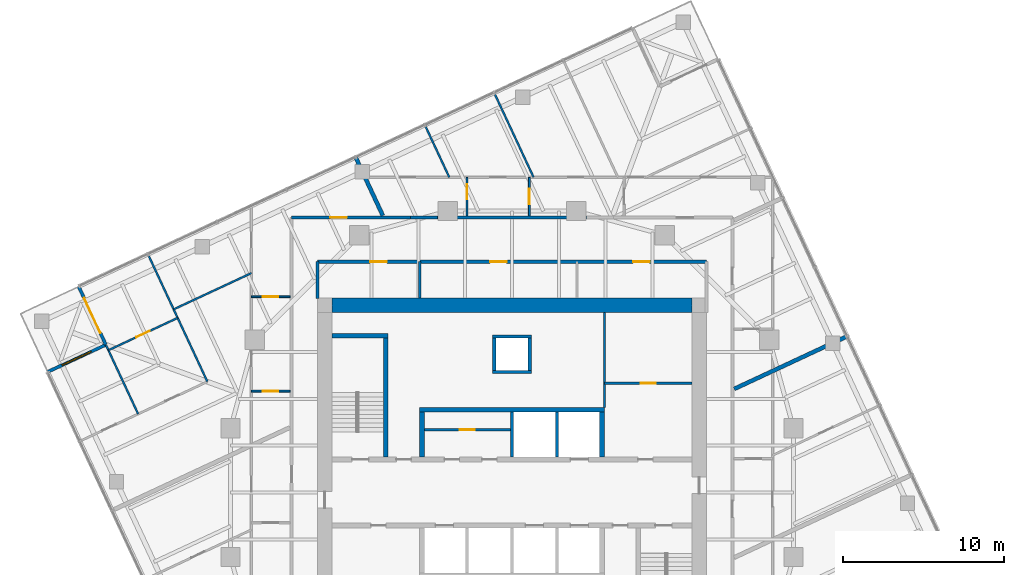
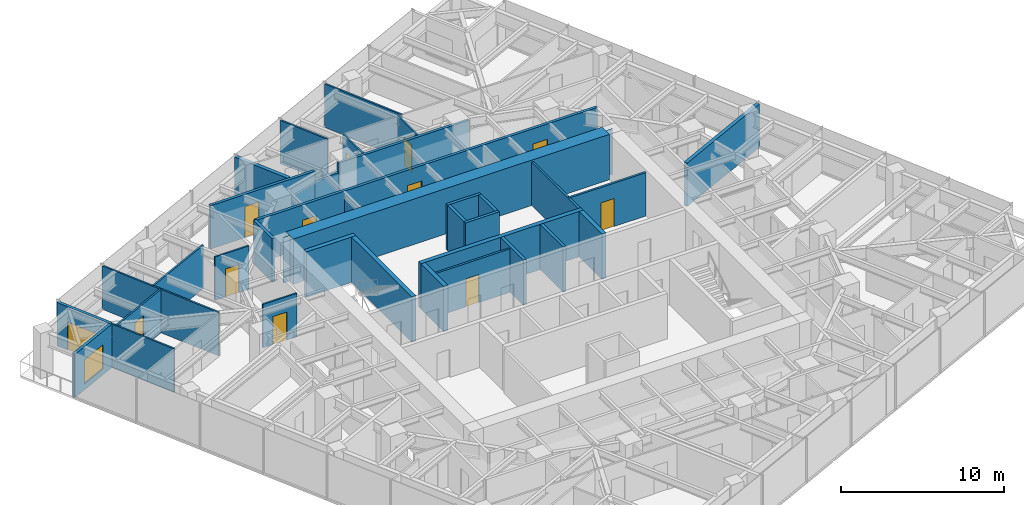
# One storey, part 10 of 12: 35 walls, 12 doors, 1 window, 13 openings.
"""IFC4 building model written with IfcOpenShell, lengths in metres."""

from ifc_helpers import new_model, si_unit, direction, frame, frame_2d, origin, place, context, subcontext, project, spatial, polyline, rectangle, outline, extrude, material, layer, layer_set, type_object, element, fill, save


model = new_model("IFC4")

# Units and contexts
model_context = context("Model", 3, precision=1e-05, world=origin(), true_north=direction((0.0, 1.0)))
body_context = subcontext(model_context, "Body", "Model", "MODEL_VIEW")
ifc_project = project(units=[si_unit("LENGTHUNIT", "METRE"), si_unit("AREAUNIT", "SQUARE_METRE"), si_unit("VOLUMEUNIT", "CUBIC_METRE"), si_unit("PLANEANGLEUNIT", "RADIAN"), si_unit("MASSUNIT", "GRAM", prefix="KILO")], contexts=[model_context])

# Site, building, storey
site_placement = place(None, origin())
site = spatial("IfcSite", under=ifc_project, at=site_placement, CompositionType="ELEMENT")
building_placement = place(site_placement, origin())
building = spatial("IfcBuilding", under=site, at=building_placement, Name="Torsade Residences", CompositionType="ELEMENT")
storey_placement = place(building_placement, frame((0.0, 0.0, 193.0)))
storey = spatial("IfcBuildingStorey", under=building, at=storey_placement, Name="L53", CompositionType="ELEMENT", Elevation=193.0)

# Walls
ifc_material_1 = material(Name="Concrete 80 MPa", Category="concrete")
ifc_layer_1 = layer(ifc_material_1, 0.300048828125)
ifc_layer_set_1 = layer_set([ifc_layer_1], Name="Concrete 80 MPa")
wall_type_1 = type_object("IfcWallType", Name="CORE INTERNAL WALL 300", PredefinedType="SHEAR", material=ifc_layer_set_1)
wall_1_placement = place(storey_placement, frame((34.25, 35.14990234375, 0.0), z_axis=(0.0, 0.0, 1.0), x_axis=(1.0, 0.0, 0.0)))
element("IfcWall", 1, at=wall_1_placement, inside=storey, type_object=wall_type_1, Name="Core wall BN L53", PredefinedType="SHEAR", context=body_context, shape_type="SweptSolid", body=[
    extrude(rectangle(XDim=11.5, YDim=0.300048828125, at=frame_2d((5.75, 0.0))), origin(), (0.0, 0.0, 1.0), 3.39990234375),
])
for number, where, z_axis, x_axis, name in (
    (2, (34.39990234375, 32.199951171875, 0.0), (0.0, 0.0, 1.0), (0.0, 1.0, 0.0), "Core wall DN0 L53"),
    (3, (45.60009765625, 32.199951171875, 0.0), (0.0, 0.0, 1.0), (0.0, 1.0, 0.0), "Core wall DN4 L53"),
):
    element("IfcWall", number, at=place(storey_placement, frame(where, z_axis=z_axis, x_axis=x_axis)), inside=storey, type_object=wall_type_1, Name=name, PredefinedType="SHEAR", context=body_context, shape_type="SweptSolid", body=[
        extrude(rectangle(XDim=2.800048828125, YDim=0.300048828125, at=frame_2d((1.39990234375, 0.0))), origin(), (0.0, 0.0, 1.0), 3.39990234375),
    ])
wall_2_placement = place(storey_placement, frame((32.14990234375, 32.199951171875, 0.0), z_axis=(0.0, 0.0, 1.0), x_axis=(0.0, 1.0, 0.0)))
element("IfcWall", 4, at=wall_2_placement, inside=storey, type_object=wall_type_1, Name="Core wall ST1E L53", PredefinedType="SHEAR", context=body_context, shape_type="SweptSolid", body=[
    extrude(rectangle(XDim=7.699951171875, YDim=0.300048828125, at=frame_2d((3.85009765625, 0.0))), origin(), (0.0, 0.0, 1.0), 3.39990234375),
])
wall_3_placement = place(storey_placement, frame((28.800048828125, 39.75, 0.0), z_axis=(0.0, 0.0, 1.0), x_axis=(1.0, 0.0, 0.0)))
element("IfcWall", 5, at=wall_3_placement, inside=storey, type_object=wall_type_1, Name="Core wall ST1N L53", PredefinedType="SHEAR", context=body_context, shape_type="SweptSolid", body=[
    extrude(rectangle(XDim=3.5, YDim=0.300048828125, at=frame_2d((1.75, 0.0))), origin(), (0.0, 0.0, 1.0), 3.39990234375),
])
ifc_material_2 = material(Name="Concrete 80 MPa", Category="concrete")
ifc_layer_2 = layer(ifc_material_2, 0.89990234375)
ifc_layer_set_2 = layer_set([ifc_layer_2], Name="Concrete 80 MPa")
wall_type_2 = type_object("IfcWallType", Name="CORE WALL 900", PredefinedType="SHEAR", material=ifc_layer_set_2)
wall_4_placement = place(storey_placement, frame((28.800048828125, 41.64990234375, 0.0), z_axis=(0.0, 0.0, 1.0), x_axis=(1.0, 0.0, 0.0)))
element("IfcWall", 6, at=wall_4_placement, inside=storey, type_object=wall_type_2, Name="Core wall N L53", PredefinedType="SHEAR", context=body_context, shape_type="SweptSolid", body=[
    extrude(outline(polyline([(0.0, -0.449951171875), (22.39990234375, -0.449951171875), (22.39990234375, -0.02490234375), (22.849853515625, -0.02490234375), (22.849853515625, 0.02490234375), (22.39990234375, 0.02490234375), (22.39990234375, 0.449951171875), (0.0, 0.449951171875), (0.0, 0.02490234375), (-0.449951171875, 0.02490234375), (-0.449951171875, -0.02490234375), (0.0, -0.02490234375), (0.0, -0.449951171875)])), origin(), (0.0, 0.0, 1.0), 3.39990234375),
])
ifc_material_3 = material(Name="Plasterboard on steel stud", Category="steel")
ifc_layer_3 = layer(ifc_material_3, 0.199951171875)
ifc_layer_set_3 = layer_set([ifc_layer_3], Name="Plasterboard on steel stud")
wall_type_3 = type_object("IfcWallType", Name="CORRIDOR WALL 200", PredefinedType="PARTITIONING", material=ifc_layer_set_3)
wall_5_placement = place(storey_placement, frame((44.625, 47.10009765625, 0.0), z_axis=(0.0, 0.0, 1.0), x_axis=(-1.0, 0.0, 0.0)))
element("IfcWall", 7, at=wall_5_placement, inside=storey, type_object=wall_type_3, Name="Corridor wall L53", PredefinedType="PARTITIONING", context=body_context, shape_type="SweptSolid", body=[
    extrude(rectangle(XDim=9.25, YDim=0.199951171875, at=frame_2d((4.625, 0.0))), origin(), (0.0, 0.0, 1.0), 3.25),
])
wall_6_placement = place(storey_placement, frame((35.375, 47.10009765625, 0.0), z_axis=(0.0, 0.0, 1.0), x_axis=(-1.0, 0.0, 0.0)))
element("IfcWall", 8, at=wall_6_placement, inside=storey, type_object=wall_type_3, Name="Corridor wall L53", PredefinedType="PARTITIONING", context=body_context, shape_type="SweptSolid", body=[
    extrude(rectangle(XDim=1.683349609375, YDim=0.199951171875, at=frame_2d((0.841796875, 0.0))), origin(), (0.0, 0.0, 1.0), 2.550048828125),
])

# Wall, opening, door
wall_7_placement = place(storey_placement, frame((33.691650390625, 47.10009765625, 0.0), z_axis=(0.0, 0.0, 1.0), x_axis=(-1.0, 0.0, 0.0)))
wall_7 = element("IfcWall", 9, at=wall_7_placement, inside=storey, type_object=wall_type_3, Name="Corridor wall L53", PredefinedType="PARTITIONING", context=body_context, shape_type="SweptSolid", body=[
    extrude(rectangle(XDim=7.3916015625, YDim=0.199951171875, at=frame_2d((3.69580078125, 0.0))), origin(), (0.0, 0.0, 1.0), 3.25),
])
opening_1_placement = place(wall_7_placement, frame((3.957275390625, 0.0, 0.0)))
opening_1 = element("IfcOpeningElement", 10, at=opening_1_placement, cuts=wall_7, Name="Opening D01", PredefinedType="OPENING", context=body_context, shape_type="SweptSolid", body=[
    extrude(rectangle(XDim=1.02001953125, YDim=2.340087890625, at=frame_2d((0.510009765625, 1.169921875))), frame((0.0, 0.10986328125, 0.0), z_axis=(0.0, -1.0, 0.0), x_axis=(1.0, 0.0, 0.0)), (0.0, 0.0, 1.0), 0.219970703125),
])
ifc_material_4 = material(Name="Solid-core timber fire door", Category="wood")
door_type_1 = type_object("IfcDoorType", Name="APARTMENT ENTRY DOOR 1020x2340", OperationType="NOTDEFINED", PredefinedType="DOOR", material=ifc_material_4)
door_1_placement = place(opening_1_placement, origin())
door_1 = element("IfcDoor", 11, at=door_1_placement, inside=storey, type_object=door_type_1, Name="Door Residential corridor to Kitchen and dining", OperationType="SINGLE_SWING_RIGHT", OverallHeight=2.340087890625, OverallWidth=1.02001953125, PredefinedType="DOOR", context=body_context, shape_type="SweptSolid", body=[
    extrude(rectangle(XDim=1.02001953125, YDim=2.340087890625, at=frame_2d((0.510009765625, 1.169921875))), frame((0.0, 0.02490234375, 0.0), z_axis=(0.0, -1.0, 0.0), x_axis=(1.0, 0.0, 0.0)), (0.0, 0.0, 1.0), 0.050048828125),
])
fill(opening_1, door_1)

# Wall, openings, doors
wall_8_placement = place(storey_placement, frame((52.10009765625, 44.35009765625, 0.0), z_axis=(0.0, 0.0, 1.0), x_axis=(-1.0, 0.0, 0.0)))
wall_8 = element("IfcWall", 12, at=wall_8_placement, inside=storey, type_object=wall_type_3, Name="Corridor wall L53", PredefinedType="PARTITIONING", context=body_context, shape_type="SweptSolid", body=[
    extrude(rectangle(XDim=24.2001953125, YDim=0.199951171875, at=frame_2d((12.10009765625, 0.0))), origin(), (0.0, 0.0, 1.0), 3.25),
])
opening_2_placement = place(wall_8_placement, frame((12.43701171875, 0.0, 0.0)))
opening_2 = element("IfcOpeningElement", 13, at=opening_2_placement, cuts=wall_8, Name="Opening D03", PredefinedType="OPENING", context=body_context, shape_type="SweptSolid", body=[
    extrude(rectangle(XDim=1.02001953125, YDim=2.10009765625, at=frame_2d((0.510009765625, 1.050048828125))), frame((0.0, 0.10986328125, 0.0), z_axis=(0.0, -1.0, 0.0), x_axis=(1.0, 0.0, 0.0)), (0.0, 0.0, 1.0), 0.219970703125),
])
opening_3_placement = place(wall_8_placement, frame((3.544189453125, 0.0, 0.0)))
opening_3 = element("IfcOpeningElement", 14, at=opening_3_placement, cuts=wall_8, Name="Opening D03", PredefinedType="OPENING", context=body_context, shape_type="SweptSolid", body=[
    extrude(rectangle(XDim=1.02001953125, YDim=2.10009765625, at=frame_2d((0.510009765625, 1.050048828125))), frame((0.0, 0.10986328125, 0.0), z_axis=(0.0, -1.0, 0.0), x_axis=(1.0, 0.0, 0.0)), (0.0, 0.0, 1.0), 0.219970703125),
])
opening_4_placement = place(wall_8_placement, frame((19.8828125, 0.0, 0.0)))
opening_4 = element("IfcOpeningElement", 15, at=opening_4_placement, cuts=wall_8, Name="Opening D03", PredefinedType="OPENING", context=body_context, shape_type="SweptSolid", body=[
    extrude(rectangle(XDim=1.02001953125, YDim=2.10009765625, at=frame_2d((0.510009765625, 1.050048828125))), frame((0.0, 0.10986328125, 0.0), z_axis=(0.0, -1.0, 0.0), x_axis=(1.0, 0.0, 0.0)), (0.0, 0.0, 1.0), 0.219970703125),
])
ifc_material_5 = material(Name="Steel-framed fire door", Category="steel")
door_type_2 = type_object("IfcDoorType", Name="FIRE DOOR 1020", OperationType="NOTDEFINED", PredefinedType="DOOR", material=ifc_material_5)
door_2_placement = place(opening_2_placement, origin())
door_2 = element("IfcDoor", 16, at=door_2_placement, inside=storey, type_object=door_type_2, Name="Door Residential corridor to Cleaner store", OperationType="SINGLE_SWING_LEFT", OverallHeight=2.10009765625, OverallWidth=1.02001953125, PredefinedType="DOOR", context=body_context, shape_type="SweptSolid", body=[
    extrude(rectangle(XDim=1.02001953125, YDim=2.10009765625, at=frame_2d((0.510009765625, 1.050048828125))), frame((0.0, 0.02490234375, 0.0), z_axis=(0.0, -1.0, 0.0), x_axis=(1.0, 0.0, 0.0)), (0.0, 0.0, 1.0), 0.050048828125),
])
fill(opening_2, door_2)
door_3_placement = place(opening_3_placement, origin())
door_3 = element("IfcDoor", 17, at=door_3_placement, inside=storey, type_object=door_type_2, Name="Door Residential corridor to Parcel room", OperationType="SINGLE_SWING_LEFT", OverallHeight=2.10009765625, OverallWidth=1.02001953125, PredefinedType="DOOR", context=body_context, shape_type="SweptSolid", body=[
    extrude(rectangle(XDim=1.02001953125, YDim=2.10009765625, at=frame_2d((0.510009765625, 1.050048828125))), frame((0.0, 0.02490234375, 0.0), z_axis=(0.0, -1.0, 0.0), x_axis=(1.0, 0.0, 0.0)), (0.0, 0.0, 1.0), 0.050048828125),
])
fill(opening_3, door_3)
door_4_placement = place(opening_4_placement, origin())
door_4 = element("IfcDoor", 18, at=door_4_placement, inside=storey, type_object=door_type_2, Name="Door Residential corridor to Residents storage", OperationType="SINGLE_SWING_LEFT", OverallHeight=2.10009765625, OverallWidth=1.02001953125, PredefinedType="DOOR", context=body_context, shape_type="SweptSolid", body=[
    extrude(rectangle(XDim=1.02001953125, YDim=2.10009765625, at=frame_2d((0.510009765625, 1.050048828125))), frame((0.0, 0.02490234375, 0.0), z_axis=(0.0, -1.0, 0.0), x_axis=(1.0, 0.0, 0.0)), (0.0, 0.0, 1.0), 0.050048828125),
])
fill(opening_4, door_4)

# Walls
wall_9_placement = place(storey_placement, frame((27.89990234375, 44.35009765625, 0.0), z_axis=(0.0, 0.0, 1.0), x_axis=(0.0, -1.0, 0.0)))
element("IfcWall", 19, at=wall_9_placement, inside=storey, type_object=wall_type_3, Name="Corridor wall L53", PredefinedType="PARTITIONING", context=body_context, shape_type="SweptSolid", body=[
    extrude(rectangle(XDim=2.300048828125, YDim=0.199951171875, at=frame_2d((1.14990234375, 0.0))), origin(), (0.0, 0.0, 1.0), 3.25),
])
ifc_material_6 = material(Name="Reinforced blockwork", Category="masonry")
ifc_layer_4 = layer(ifc_material_6, 0.199951171875)
ifc_layer_set_4 = layer_set([ifc_layer_4], Name="Reinforced blockwork")
wall_type_4 = type_object("IfcWallType", Name="LIFT SHAFT DIVIDING WALL 200", PredefinedType="SOLIDWALL", material=ifc_layer_set_4)
for number, where, z_axis, x_axis, name in (
    (20, (40.0, 32.199951171875, 0.0), (0.0, 0.0, 1.0), (0.0, 1.0, 0.0), "Core wall DN2 L53"),
    (21, (42.800048828125, 32.199951171875, 0.0), (0.0, 0.0, 1.0), (0.0, 1.0, 0.0), "Core wall DN3 L53"),
):
    element("IfcWall", number, at=place(storey_placement, frame(where, z_axis=z_axis, x_axis=x_axis)), inside=storey, type_object=wall_type_4, Name=name, PredefinedType="SOLIDWALL", context=body_context, shape_type="SweptSolid", body=[
        extrude(rectangle(XDim=2.800048828125, YDim=0.199951171875, at=frame_2d((1.39990234375, 0.0))), origin(), (0.0, 0.0, 1.0), 3.39990234375),
    ])

# Wall, opening, door
ifc_material_7 = material(Name="Plasterboard on steel stud", Category="steel")
ifc_layer_5 = layer(ifc_material_7, 0.1201171875)
ifc_layer_set_5 = layer_set([ifc_layer_5], Name="Plasterboard on steel stud")
wall_type_5 = type_object("IfcWallType", Name="PARTITION 120", PredefinedType="PARTITIONING", material=ifc_layer_set_5)
wall_10_placement = place(storey_placement, frame((41.08154296875, 47.199951171875, 0.0), z_axis=(0.0, 0.0, 1.0), x_axis=(0.0, 1.0, 0.0)))
wall_10 = element("IfcWall", 22, at=wall_10_placement, inside=storey, type_object=wall_type_5, Name="Partition L53", PredefinedType="PARTITIONING", context=body_context, shape_type="SweptSolid", body=[
    extrude(rectangle(XDim=2.400146484375, YDim=0.1201171875, at=frame_2d((1.2001953125, 0.0))), origin(), (0.0, 0.0, 1.0), 3.25),
])
opening_5_placement = place(wall_10_placement, frame((0.719970703125, 0.0, 0.0)))
opening_5 = element("IfcOpeningElement", 23, at=opening_5_placement, cuts=wall_10, Name="Opening D05", PredefinedType="OPENING", context=body_context, shape_type="SweptSolid", body=[
    extrude(rectangle(XDim=0.9599609375, YDim=2.10009765625, at=frame_2d((0.47998046875, 1.050048828125))), frame((0.0, 0.070068359375, 0.0), z_axis=(0.0, -1.0, 0.0), x_axis=(1.0, 0.0, 0.0)), (0.0, 0.0, 1.0), 0.14013671875),
])
ifc_material_8 = material(Name="Hollow-core timber door in a steel cavity frame", Category="steel")
door_type_3 = type_object("IfcDoorType", Name="BATHROOM CAVITY SLIDING DOOR 960", OperationType="SLIDING_TO_LEFT", PredefinedType="DOOR", material=ifc_material_8)
door_5_placement = place(opening_5_placement, origin())
door_5 = element("IfcDoor", 24, at=door_5_placement, inside=storey, type_object=door_type_3, Name="Door Bathroom to Laundry", OperationType="SLIDING_TO_LEFT", OverallHeight=2.10009765625, OverallWidth=0.9599609375, PredefinedType="DOOR", context=body_context, shape_type="SweptSolid", body=[
    extrude(rectangle(XDim=0.9599609375, YDim=2.10009765625, at=frame_2d((0.47998046875, 1.050048828125))), frame((0.0, 0.02490234375, 0.0), z_axis=(0.0, -1.0, 0.0), x_axis=(1.0, 0.0, 0.0)), (0.0, 0.0, 1.0), 0.050048828125),
])
fill(opening_5, door_5)

wall_11_placement = place(storey_placement, frame((37.20361328125, 49.60009765625, 0.0), z_axis=(0.0, 0.0, 1.0), x_axis=(0.0, -1.0, 0.0)))
wall_11 = element("IfcWall", 25, at=wall_11_placement, inside=storey, type_object=wall_type_5, Name="Partition L53", PredefinedType="PARTITIONING", context=body_context, shape_type="SweptSolid", body=[
    extrude(rectangle(XDim=2.400146484375, YDim=0.1201171875, at=frame_2d((1.2001953125, 0.0))), origin(), (0.0, 0.0, 1.0), 3.25),
])
opening_6_placement = place(wall_11_placement, frame((0.419921875, 0.0, 0.0)))
opening_6 = element("IfcOpeningElement", 26, at=opening_6_placement, cuts=wall_11, Name="Opening D05", PredefinedType="OPENING", context=body_context, shape_type="SweptSolid", body=[
    extrude(rectangle(XDim=0.9599609375, YDim=2.10009765625, at=frame_2d((0.47998046875, 1.050048828125))), frame((0.0, 0.070068359375, 0.0), z_axis=(0.0, -1.0, 0.0), x_axis=(1.0, 0.0, 0.0)), (0.0, 0.0, 1.0), 0.14013671875),
])
door_6_placement = place(opening_6_placement, origin())
door_6 = element("IfcDoor", 27, at=door_6_placement, inside=storey, type_object=door_type_3, Name="Door Laundry to Ensuite", OperationType="SLIDING_TO_LEFT", OverallHeight=2.10009765625, OverallWidth=0.9599609375, PredefinedType="DOOR", context=body_context, shape_type="SweptSolid", body=[
    extrude(rectangle(XDim=0.9599609375, YDim=2.10009765625, at=frame_2d((0.47998046875, 1.050048828125))), frame((0.0, 0.02490234375, 0.0), z_axis=(0.0, -1.0, 0.0), x_axis=(1.0, 0.0, 0.0)), (0.0, 0.0, 1.0), 0.050048828125),
])
fill(opening_6, door_6)

# Walls
wall_12_placement = place(storey_placement, frame((41.342529296875, 49.60009765625, 0.0), z_axis=(0.0, 0.0, 1.0), x_axis=(-0.422648925879, 0.906293487483, 0.0)))
element("IfcWall", 28, at=wall_12_placement, inside=storey, type_object=wall_type_5, Name="Partition L53", PredefinedType="PARTITIONING", context=body_context, shape_type="SweptSolid", body=[
    extrude(rectangle(XDim=5.763671875, YDim=0.1201171875, at=frame_2d((2.8818359375, 0.0))), origin(), (0.0, 0.0, 1.0), 3.25),
])
wall_13_placement = place(storey_placement, frame((36.101318359375, 49.60009765625, 0.0), z_axis=(0.0, 0.0, 1.0), x_axis=(-0.42263686638, 0.906299111318, 0.0)))
element("IfcWall", 29, at=wall_13_placement, inside=storey, type_object=wall_type_5, Name="Partition L53", PredefinedType="PARTITIONING", context=body_context, shape_type="SweptSolid", body=[
    extrude(rectangle(XDim=3.548583984375, YDim=0.1201171875, at=frame_2d((1.7744140625, 0.0))), origin(), (0.0, 0.0, 1.0), 3.25),
])

# Wall, opening, door
wall_14_placement = place(storey_placement, frame((26.199951171875, 42.172119140625, 0.0), z_axis=(0.0, 0.0, 1.0), x_axis=(-1.0, 0.0, 0.0)))
wall_14 = element("IfcWall", 30, at=wall_14_placement, inside=storey, type_object=wall_type_5, Name="Partition L53", PredefinedType="PARTITIONING", context=body_context, shape_type="SweptSolid", body=[
    extrude(rectangle(XDim=2.39990234375, YDim=0.1201171875, at=frame_2d((1.199951171875, 0.0))), origin(), (0.0, 0.0, 1.0), 3.25),
])
opening_7_placement = place(wall_14_placement, frame((0.719970703125, 0.0, 0.0)))
opening_7 = element("IfcOpeningElement", 31, at=opening_7_placement, cuts=wall_14, Name="Opening D05", PredefinedType="OPENING", context=body_context, shape_type="SweptSolid", body=[
    extrude(rectangle(XDim=0.9599609375, YDim=2.10009765625, at=frame_2d((0.47998046875, 1.050048828125))), frame((0.0, 0.070068359375, 0.0), z_axis=(0.0, -1.0, 0.0), x_axis=(1.0, 0.0, 0.0)), (0.0, 0.0, 1.0), 0.14013671875),
])
door_7_placement = place(opening_7_placement, origin())
door_7 = element("IfcDoor", 32, at=door_7_placement, inside=storey, type_object=door_type_3, Name="Door Kitchen and dining to Bathroom", OperationType="SLIDING_TO_LEFT", OverallHeight=2.10009765625, OverallWidth=0.9599609375, PredefinedType="DOOR", context=body_context, shape_type="SweptSolid", body=[
    extrude(rectangle(XDim=0.9599609375, YDim=2.10009765625, at=frame_2d((0.47998046875, 1.050048828125))), frame((0.0, 0.02490234375, 0.0), z_axis=(0.0, -1.0, 0.0), x_axis=(1.0, 0.0, 0.0)), (0.0, 0.0, 1.0), 0.050048828125),
])
fill(opening_7, door_7)

wall_15_placement = place(storey_placement, frame((26.199951171875, 36.30810546875, 0.0), z_axis=(0.0, 0.0, 1.0), x_axis=(-1.0, 0.0, 0.0)))
wall_15 = element("IfcWall", 33, at=wall_15_placement, inside=storey, type_object=wall_type_5, Name="Partition L53", PredefinedType="PARTITIONING", context=body_context, shape_type="SweptSolid", body=[
    extrude(rectangle(XDim=2.39990234375, YDim=0.1201171875, at=frame_2d((1.199951171875, 0.0))), origin(), (0.0, 0.0, 1.0), 3.25),
])
opening_8_placement = place(wall_15_placement, frame((0.719970703125, 0.0, 0.0)))
opening_8 = element("IfcOpeningElement", 34, at=opening_8_placement, cuts=wall_15, Name="Opening D05", PredefinedType="OPENING", context=body_context, shape_type="SweptSolid", body=[
    extrude(rectangle(XDim=0.9599609375, YDim=2.10009765625, at=frame_2d((0.47998046875, 1.050048828125))), frame((0.0, 0.070068359375, 0.0), z_axis=(0.0, -1.0, 0.0), x_axis=(1.0, 0.0, 0.0)), (0.0, 0.0, 1.0), 0.14013671875),
])
door_8_placement = place(opening_8_placement, origin())
door_8 = element("IfcDoor", 35, at=door_8_placement, inside=storey, type_object=door_type_3, Name="Door Bathroom to Ensuite", OperationType="SLIDING_TO_LEFT", OverallHeight=2.10009765625, OverallWidth=0.9599609375, PredefinedType="DOOR", context=body_context, shape_type="SweptSolid", body=[
    extrude(rectangle(XDim=0.9599609375, YDim=2.10009765625, at=frame_2d((0.47998046875, 1.050048828125))), frame((0.0, 0.02490234375, 0.0), z_axis=(0.0, -1.0, 0.0), x_axis=(1.0, 0.0, 0.0)), (0.0, 0.0, 1.0), 0.050048828125),
])
fill(opening_8, door_8)

# Walls
wall_16_placement = place(storey_placement, frame((18.96533203125, 41.390625, 0.0), z_axis=(0.0, 0.0, 1.0), x_axis=(0.906312880264, 0.422607339108, 0.0)))
element("IfcWall", 36, at=wall_16_placement, inside=storey, type_object=wall_type_5, Name="Partition L53", PredefinedType="PARTITIONING", context=body_context, shape_type="SweptSolid", body=[
    extrude(rectangle(XDim=5.33447265625, YDim=0.1201171875, at=frame_2d((2.667236328125, 0.0))), origin(), (0.0, 0.0, 1.0), 3.25),
])
wall_17_placement = place(storey_placement, frame((21.05859375, 36.901611328125, 0.0), z_axis=(0.0, 0.0, 1.0), x_axis=(-0.422610460864, 0.906311424604, 0.0)))
element("IfcWall", 37, at=wall_17_placement, inside=storey, type_object=wall_type_5, Name="Partition L53", PredefinedType="PARTITIONING", context=body_context, shape_type="SweptSolid", body=[
    extrude(rectangle(XDim=8.7001953125, YDim=0.1201171875, at=frame_2d((4.35009765625, 0.0))), origin(), (0.0, 0.0, 1.0), 3.25),
])

# Wall, opening, door
wall_18_placement = place(storey_placement, frame((19.2138671875, 40.857666015625, 0.0), z_axis=(0.0, 0.0, 1.0), x_axis=(-0.906296032609, -0.422643468278, 0.0)))
wall_18 = element("IfcWall", 38, at=wall_18_placement, inside=storey, type_object=wall_type_5, Name="Partition L53", PredefinedType="PARTITIONING", context=body_context, shape_type="SweptSolid", body=[
    extrude(rectangle(XDim=4.75, YDim=0.1201171875, at=frame_2d((2.375, 0.0))), origin(), (0.0, 0.0, 1.0), 3.25),
])
opening_9_placement = place(wall_18_placement, frame((1.9150390625, 0.0, 0.0)))
opening_9 = element("IfcOpeningElement", 39, at=opening_9_placement, cuts=wall_18, Name="Opening D02", PredefinedType="OPENING", context=body_context, shape_type="SweptSolid", body=[
    extrude(rectangle(XDim=0.919921875, YDim=2.340087890625, at=frame_2d((0.4599609375, 1.169921875))), frame((0.0, 0.070068359375, 0.0), z_axis=(0.0, -1.0, 0.0), x_axis=(1.0, 0.0, 0.0)), (0.0, 0.0, 1.0), 0.14013671875),
])
ifc_material_9 = material(Name="Hollow-core timber door", Category="wood")
door_type_4 = type_object("IfcDoorType", Name="INTERNAL DOOR 920x2340", OperationType="NOTDEFINED", PredefinedType="DOOR", material=ifc_material_9)
door_9_placement = place(opening_9_placement, origin())
door_9 = element("IfcDoor", 40, at=door_9_placement, inside=storey, type_object=door_type_4, Name="Door Walk-in robe to Bedroom 2", OperationType="SINGLE_SWING_RIGHT", OverallHeight=2.340087890625, OverallWidth=0.919921875, PredefinedType="DOOR", context=body_context, shape_type="SweptSolid", body=[
    extrude(rectangle(XDim=0.919921875, YDim=2.340087890625, at=frame_2d((0.4599609375, 1.169921875))), frame((0.0, 0.02490234375, 0.0), z_axis=(0.0, -1.0, 0.0), x_axis=(1.0, 0.0, 0.0)), (0.0, 0.0, 1.0), 0.050048828125),
])
fill(opening_9, door_9)

# Walls
wall_19_placement = place(storey_placement, frame((16.7578125, 34.885009765625, 0.0), z_axis=(0.0, 0.0, 1.0), x_axis=(-0.422601682441, 0.906315517906, 0.0)))
element("IfcWall", 41, at=wall_19_placement, inside=storey, type_object=wall_type_5, Name="Partition L53", PredefinedType="PARTITIONING", context=body_context, shape_type="SweptSolid", body=[
    extrude(rectangle(XDim=4.7099609375, YDim=0.1201171875, at=frame_2d((2.35498046875, 0.0))), origin(), (0.0, 0.0, 1.0), 3.25),
])
ifc_material_10 = material(Name="Masonry-lined stud party wall", Category="masonry")
ifc_layer_6 = layer(ifc_material_10, 0.25)
ifc_layer_set_6 = layer_set([ifc_layer_6], Name="Masonry-lined stud party wall")
wall_type_6 = type_object("IfcWallType", Name="PARTY WALL 250", PredefinedType="PARTITIONING", material=ifc_layer_set_6)
wall_20_placement = place(storey_placement, frame((60.844970703125, 39.72021484375, 0.0), z_axis=(0.0, 0.0, 1.0), x_axis=(-0.906308569177, -0.422616584432, 0.0)))
element("IfcWall", 42, at=wall_20_placement, inside=storey, type_object=wall_type_6, Name="Party wall L53", PredefinedType="PARTITIONING", context=body_context, shape_type="SweptSolid", body=[
    extrude(rectangle(XDim=7.7548828125, YDim=0.25, at=frame_2d((3.87744140625, 0.0))), origin(), (0.0, 0.0, 1.0), 3.25),
])
wall_21_placement = place(storey_placement, frame((30.27978515625, 50.844970703125, 0.0), z_axis=(0.0, 0.0, 1.0), x_axis=(0.422605017068, -0.906313963011, 0.0)))
element("IfcWall", 43, at=wall_21_placement, inside=storey, type_object=wall_type_6, Name="Party wall L53", PredefinedType="PARTITIONING", context=body_context, shape_type="SweptSolid", body=[
    extrude(rectangle(XDim=4.00341796875, YDim=0.25, at=frame_2d((2.001708984375, 0.0))), origin(), (0.0, 0.0, 1.0), 3.25),
])
ifc_material_11 = material(Name="Reinforced blockwork", Category="masonry")
ifc_layer_7 = layer(ifc_material_11, 0.199951171875)
ifc_layer_set_7 = layer_set([ifc_layer_7], Name="Reinforced blockwork")
wall_type_7 = type_object("IfcWallType", Name="RISER SHAFT WALL 200", PredefinedType="SOLIDWALL", material=ifc_layer_set_7)
for number, where, z_axis, x_axis, name in (
    (44, (38.89990234375, 37.60009765625, 0.0), (0.0, 0.0, 1.0), (0.0, 1.0, 0.0), "Core wall RS1a L53"),
    (45, (41.10009765625, 37.60009765625, 0.0), (0.0, 0.0, 1.0), (0.0, 1.0, 0.0), "Core wall RS1b L53"),
):
    element("IfcWall", number, at=place(storey_placement, frame(where, z_axis=z_axis, x_axis=x_axis)), inside=storey, type_object=wall_type_7, Name=name, PredefinedType="SOLIDWALL", context=body_context, shape_type="SweptSolid", body=[
        extrude(rectangle(XDim=2.0, YDim=0.199951171875, at=frame_2d((1.0, 0.0))), origin(), (0.0, 0.0, 1.0), 3.39990234375),
    ])
for number, where, z_axis, x_axis, name in (
    (46, (38.800048828125, 37.5, 0.0), (0.0, 0.0, 1.0), (1.0, 0.0, 0.0), "Core wall RS1c L53"),
    (47, (38.800048828125, 39.699951171875, 0.0), (0.0, 0.0, 1.0), (1.0, 0.0, 0.0), "Core wall RS1d L53"),
):
    element("IfcWall", number, at=place(storey_placement, frame(where, z_axis=z_axis, x_axis=x_axis)), inside=storey, type_object=wall_type_7, Name=name, PredefinedType="SOLIDWALL", context=body_context, shape_type="SweptSolid", body=[
        extrude(rectangle(XDim=2.39990234375, YDim=0.199951171875, at=frame_2d((1.199951171875, 0.0))), origin(), (0.0, 0.0, 1.0), 3.39990234375),
    ])
ifc_material_12 = material(Name="Reinforced blockwork", Category="masonry")
ifc_layer_8 = layer(ifc_material_12, 0.14990234375)
ifc_layer_set_8 = layer_set([ifc_layer_8], Name="Reinforced blockwork")
wall_type_8 = type_object("IfcWallType", Name="SERVICE ROOM WALL 150", PredefinedType="SOLIDWALL", material=ifc_layer_set_8)
wall_22_placement = place(storey_placement, frame((45.75, 41.199951171875, 0.0), z_axis=(0.0, 0.0, 1.0), x_axis=(0.0, -1.0, 0.0)))
element("IfcWall", 48, at=wall_22_placement, inside=storey, type_object=wall_type_8, Name="Service room wall L53", PredefinedType="SOLIDWALL", context=body_context, shape_type="SweptSolid", body=[
    extrude(rectangle(XDim=5.89990234375, YDim=0.14990234375, at=frame_2d((2.949951171875, 0.0))), origin(), (0.0, 0.0, 1.0), 3.25),
])

# Wall, opening, door
wall_23_placement = place(storey_placement, frame((45.75, 36.800048828125, 0.0), z_axis=(0.0, 0.0, 1.0), x_axis=(1.0, 0.0, 0.0)))
wall_23 = element("IfcWall", 49, at=wall_23_placement, inside=storey, type_object=wall_type_8, Name="Service room wall L53", PredefinedType="SOLIDWALL", context=body_context, shape_type="SweptSolid", body=[
    extrude(rectangle(XDim=5.449951171875, YDim=0.14990234375, at=frame_2d((2.72509765625, 0.0))), origin(), (0.0, 0.0, 1.0), 3.25),
])
opening_10_placement = place(wall_23_placement, frame((2.264892578125, 0.0, 0.0)))
opening_10 = element("IfcOpeningElement", 50, at=opening_10_placement, cuts=wall_23, Name="Opening D06", PredefinedType="OPENING", context=body_context, shape_type="SweptSolid", body=[
    extrude(rectangle(XDim=0.919921875, YDim=2.10009765625, at=frame_2d((0.4599609375, 1.050048828125))), frame((0.0, 0.0849609375, 0.0), z_axis=(0.0, -1.0, 0.0), x_axis=(1.0, 0.0, 0.0)), (0.0, 0.0, 1.0), 0.169921875),
])
ifc_material_13 = material(Name="Steel-framed fire door", Category="steel")
door_type_5 = type_object("IfcDoorType", Name="FIRE DOOR 920", OperationType="NOTDEFINED", PredefinedType="DOOR", material=ifc_material_13)
door_10_placement = place(opening_10_placement, origin())
door_10 = element("IfcDoor", 51, at=door_10_placement, inside=storey, type_object=door_type_5, Name="Door Refuse room to Recycling room", OperationType="SINGLE_SWING_LEFT", OverallHeight=2.10009765625, OverallWidth=0.919921875, PredefinedType="DOOR", context=body_context, shape_type="SweptSolid", body=[
    extrude(rectangle(XDim=0.919921875, YDim=2.10009765625, at=frame_2d((0.4599609375, 1.050048828125))), frame((0.0, 0.02490234375, 0.0), z_axis=(0.0, -1.0, 0.0), x_axis=(1.0, 0.0, 0.0)), (0.0, 0.0, 1.0), 0.050048828125),
])
fill(opening_10, door_10)

# Wall
wall_24_placement = place(storey_placement, frame((34.2646484375, 42.10009765625, 0.0), z_axis=(0.0, 0.0, 1.0), x_axis=(0.0, 1.0, 0.0)))
element("IfcWall", 52, at=wall_24_placement, inside=storey, type_object=wall_type_8, Name="Service room wall L53", PredefinedType="SOLIDWALL", context=body_context, shape_type="SweptSolid", body=[
    extrude(rectangle(XDim=2.25, YDim=0.14990234375, at=frame_2d((1.125, 0.0))), origin(), (0.0, 0.0, 1.0), 2.7958984375),
])

# Wall, opening, door
wall_25_placement = place(storey_placement, frame((34.550048828125, 33.89990234375, 0.0), z_axis=(0.0, 0.0, 1.0), x_axis=(1.0, 0.0, 0.0)))
wall_25 = element("IfcWall", 53, at=wall_25_placement, inside=storey, type_object=wall_type_8, Name="Service room wall L53", PredefinedType="SOLIDWALL", context=body_context, shape_type="SweptSolid", body=[
    extrude(rectangle(XDim=5.349853515625, YDim=0.14990234375, at=frame_2d((2.6748046875, 0.0))), origin(), (0.0, 0.0, 1.0), 3.25),
])
opening_11_placement = place(wall_25_placement, frame((2.215087890625, 0.0, 0.0)))
opening_11 = element("IfcOpeningElement", 54, at=opening_11_placement, cuts=wall_25, Name="Opening D06", PredefinedType="OPENING", context=body_context, shape_type="SweptSolid", body=[
    extrude(rectangle(XDim=0.919921875, YDim=2.10009765625, at=frame_2d((0.4599609375, 1.050048828125))), frame((0.0, 0.0849609375, 0.0), z_axis=(0.0, -1.0, 0.0), x_axis=(1.0, 0.0, 0.0)), (0.0, 0.0, 1.0), 0.169921875),
])
door_11_placement = place(opening_11_placement, origin())
door_11 = element("IfcDoor", 55, at=door_11_placement, inside=storey, type_object=door_type_5, Name="Door Residents storage L53A to Equipment store L53B", OperationType="SINGLE_SWING_RIGHT", OverallHeight=2.10009765625, OverallWidth=0.919921875, PredefinedType="DOOR", context=body_context, shape_type="SweptSolid", body=[
    extrude(rectangle(XDim=0.919921875, YDim=2.10009765625, at=frame_2d((0.4599609375, 1.050048828125))), frame((0.0, 0.02490234375, 0.0), z_axis=(0.0, -1.0, 0.0), x_axis=(1.0, 0.0, 0.0)), (0.0, 0.0, 1.0), 0.050048828125),
])
fill(opening_11, door_11)

ifc_material_14 = material(Name="Stone-faced precast concrete 40 MPa panel", Category="masonry")
ifc_layer_9 = layer(ifc_material_14, 0.199951171875)
ifc_layer_set_9 = layer_set([ifc_layer_9], Name="Stone-faced precast concrete 40 MPa panel")
wall_type_9 = type_object("IfcWallType", Name="TERRACE WALL 200", PredefinedType="SOLIDWALL", material=ifc_layer_set_9)
wall_26_placement = place(storey_placement, frame((13.059814453125, 42.8154296875, 0.0), z_axis=(0.0, 0.0, 1.0), x_axis=(0.422658246362, -0.906289140828, 0.0)))
wall_26 = element("IfcWall", 56, at=wall_26_placement, inside=storey, type_object=wall_type_9, Name="Terrace wall L53 8", PredefinedType="SOLIDWALL", context=body_context, shape_type="SweptSolid", body=[
    extrude(rectangle(XDim=4.0, YDim=0.199951171875, at=frame_2d((2.0, 0.0))), origin(), (0.0, 0.0, 1.0), 3.25),
])
opening_12_placement = place(wall_26_placement, frame((0.800048828125, 0.0, 0.0)))
opening_12 = element("IfcOpeningElement", 57, at=opening_12_placement, cuts=wall_26, Name="Opening D10A", PredefinedType="OPENING", context=body_context, shape_type="SweptSolid", body=[
    extrude(rectangle(XDim=2.39990234375, YDim=2.10009765625, at=frame_2d((1.199951171875, 1.050048828125))), frame((0.0, 0.10986328125, 0.0), z_axis=(0.0, -1.0, 0.0), x_axis=(1.0, 0.0, 0.0)), (0.0, 0.0, 1.0), 0.219970703125),
])
ifc_material_15 = material(Name="Aluminium-framed glass door", Category="aluminium")
door_type_6 = type_object("IfcDoorType", Name="TERRACE SLIDING DOOR 2400x2100", OperationType="SLIDING_TO_LEFT", PredefinedType="DOOR", material=ifc_material_15)
door_12_placement = place(opening_12_placement, origin())
door_12 = element("IfcDoor", 58, at=door_12_placement, inside=storey, type_object=door_type_6, Name="Terrace door L53 8", OperationType="SLIDING_TO_LEFT", OverallHeight=2.10009765625, OverallWidth=2.39990234375, PredefinedType="DOOR", context=body_context, shape_type="SweptSolid", body=[
    extrude(rectangle(XDim=2.39990234375, YDim=2.10009765625, at=frame_2d((1.199951171875, 1.050048828125))), frame((0.0, 0.02490234375, 0.0), z_axis=(0.0, -1.0, 0.0), x_axis=(1.0, 0.0, 0.0)), (0.0, 0.0, 1.0), 0.050048828125),
])
fill(opening_12, door_12)

# Wall, opening, window
wall_27_placement = place(storey_placement, frame((14.75048828125, 39.190185546875, 0.0), z_axis=(0.0, 0.0, 1.0), x_axis=(-0.906289140828, -0.422658246362, 0.0)))
wall_27 = element("IfcWall", 59, at=wall_27_placement, inside=storey, type_object=wall_type_9, Name="Terrace wall L53 9", PredefinedType="SOLIDWALL", context=body_context, shape_type="SweptSolid", body=[
    extrude(rectangle(XDim=4.0, YDim=0.199951171875, at=frame_2d((2.0, 0.0))), origin(), (0.0, 0.0, 1.0), 3.25),
])
opening_13_placement = place(wall_27_placement, frame((1.0, 0.0, 0.449951171875)))
opening_13 = element("IfcOpeningElement", 60, at=opening_13_placement, cuts=wall_27, Name="Opening W1B", PredefinedType="OPENING", context=body_context, shape_type="SweptSolid", body=[
    extrude(rectangle(XDim=2.0, YDim=1.800048828125, at=frame_2d((1.0, 0.89990234375))), frame((0.0, 0.10986328125, 0.0), z_axis=(0.0, -1.0, 0.0), x_axis=(1.0, 0.0, 0.0)), (0.0, 0.0, 1.0), 0.219970703125),
])
ifc_material_16 = material(Name="Aluminium-framed glass window", Category="aluminium")
window_type = type_object("IfcWindowType", Name="TERRACE WINDOW 2000x1800", PartitioningType="SINGLE_PANEL", PredefinedType="WINDOW", material=ifc_material_16)
window_placement = place(opening_13_placement, origin())
window = element("IfcWindow", 61, at=window_placement, inside=storey, type_object=window_type, Name="Terrace window L53 9", OverallHeight=1.800048828125, OverallWidth=2.0, PartitioningType="SINGLE_PANEL", PredefinedType="WINDOW", context=body_context, shape_type="SweptSolid", body=[
    extrude(rectangle(XDim=2.0, YDim=1.800048828125, at=frame_2d((1.0, 0.89990234375))), frame((0.0, 0.030029296875, 0.0), z_axis=(0.0, -1.0, 0.0), x_axis=(1.0, 0.0, 0.0)), (0.0, 0.0, 1.0), 0.06005859375),
])
fill(opening_13, window)

save(model, "model.ifc")
